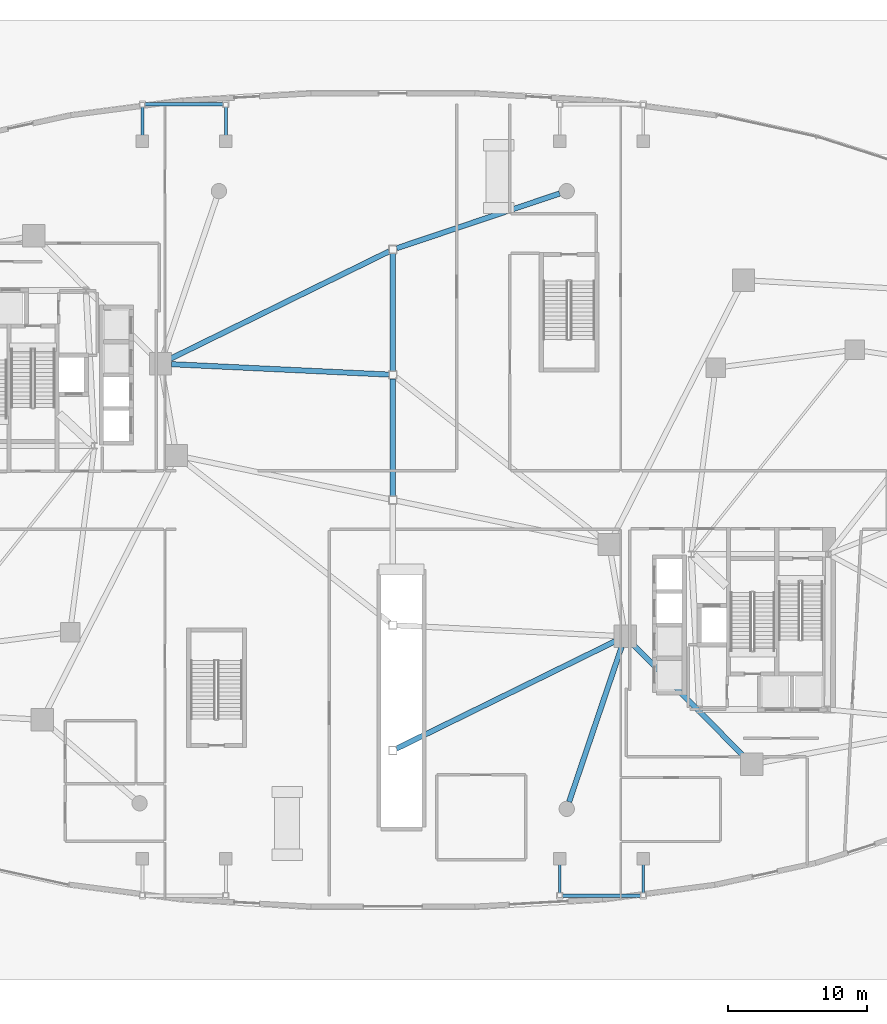
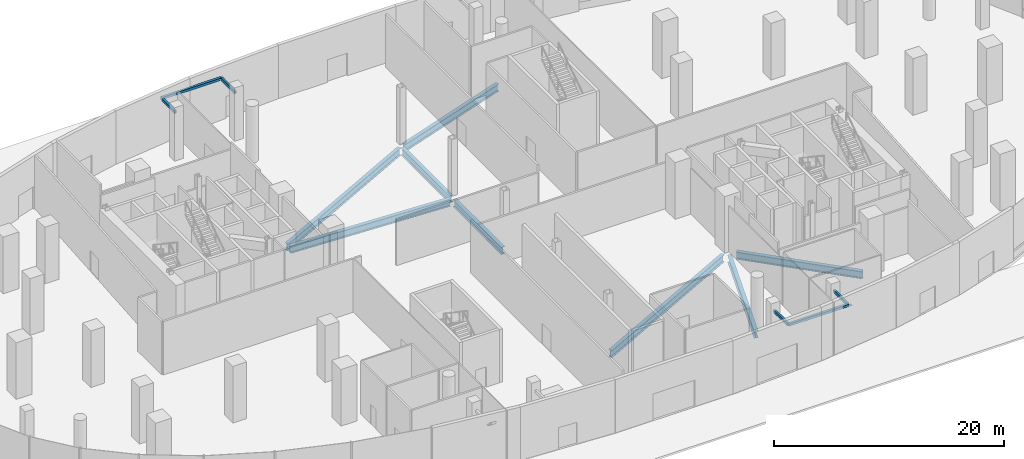
# One storey, part 6 of 20: 12 beams, 2 members.
"""IFC4 building model written with IfcOpenShell, lengths in metres."""

from ifc_helpers import new_model, si_unit, direction, frame, origin, origin_2d, place, context, subcontext, project, spatial, hollow_rectangle, i_section, extrude, material, material_profile, profile_set, type_object, element, save


model = new_model("IFC4")

# Units and contexts
model_context = context("Model", 3, precision=1e-05, world=origin(), true_north=direction((0.0, 1.0)))
body_context = subcontext(model_context, "Body", "Model", "MODEL_VIEW")
ifc_project = project(units=[si_unit("LENGTHUNIT", "METRE"), si_unit("AREAUNIT", "SQUARE_METRE"), si_unit("VOLUMEUNIT", "CUBIC_METRE"), si_unit("PLANEANGLEUNIT", "RADIAN"), si_unit("MASSUNIT", "GRAM", prefix="KILO"), si_unit("THERMODYNAMICTEMPERATUREUNIT", "KELVIN"), si_unit("POWERUNIT", "WATT")], contexts=[model_context])

# Site, building, storey
site_placement = place(None, origin())
site = spatial("IfcSite", under=ifc_project, at=site_placement, CompositionType="ELEMENT")
building_placement = place(site_placement, origin())
building = spatial("IfcBuilding", under=site, at=building_placement, Name="Cundina Bronze Exchange", CompositionType="ELEMENT")
storey_placement = place(building_placement, origin())
storey = spatial("IfcBuildingStorey", under=building, at=storey_placement, Name="L00", CompositionType="ELEMENT", Elevation=0.0)

# Beams
ifc_material_1 = material(Name="Steel ASTM A500 Grade C", Category="steel")
ifc_material_profile_1 = material_profile(ifc_material_1, hollow_rectangle(XDim=0.199951171875, YDim=0.300048828125, WallThickness=0.011962890625, at=origin_2d()), Name="HSS300X200X12", Category="steel")
ifc_profile_set_1 = profile_set([ifc_material_profile_1], Name="Steel ASTM A500 Grade C")
beam_type_1 = type_object("IfcBeamType", Name="BM-CAN-HSS3020", PredefinedType="BEAM", material=ifc_profile_set_1)
for number, where, z_axis, x_axis, name in (
    (1, (12.0, -26.0, 4.64990234375), (0.0, -1.0, 0.0), (1.0, 0.0, 0.0), "L00 South Station Entrance Canopy Outrigger 03"),
    (2, (18.0, -26.0, 4.64990234375), (0.0, -1.0, 0.0), (1.0, 0.0, 0.0), "L00 South Station Entrance Canopy Outrigger 04"),
    (3, (-18.0, 26.0, 4.64990234375), (0.0, 1.0, 0.0), (-1.0, 0.0, 0.0), "L00 North Station Entrance Canopy Outrigger 05"),
    (4, (-12.0, 26.0, 4.64990234375), (0.0, 1.0, 0.0), (-1.0, 0.0, 0.0), "L00 North Station Entrance Canopy Outrigger 06"),
):
    element("IfcBeam", number, at=place(storey_placement, frame(where, z_axis=z_axis, x_axis=x_axis)), inside=storey, type_object=beam_type_1, Name=name, PredefinedType="BEAM", context=body_context, shape_type="SweptSolid", body=[
        extrude(hollow_rectangle(XDim=0.199951171875, YDim=0.300048828125, WallThickness=0.011962890625, at=origin_2d()), origin(), (0.0, 0.0, 1.0), 2.39990234375),
    ])
ifc_material_2 = material(Name="Steel ASTM A992 Grade 50", Category="steel")
ifc_material_profile_2 = material_profile(ifc_material_2, i_section(OverallWidth=0.381103515625, OverallDepth=0.77294921875, WebThickness=0.0166015625, FlangeThickness=0.027099609375, FilletRadius=0.01904296875, at=origin_2d()), Name="W30X173", Category="steel")
ifc_profile_set_2 = profile_set([ifc_material_profile_2], Name="Steel ASTM A992 Grade 50")
beam_type_2 = type_object("IfcBeamType", Name="BM-RING-W30", PredefinedType="USERDEFINED", material=ifc_profile_set_2)
for number, where, z_axis, x_axis, name in (
    (5, (0.0, 0.2880859375, -0.736572265625), (0.0, 1.0, 0.0), (-1.0, 0.0, 0.0), "L00 Concourse Spine Longitudinal Girder 03"),
    (6, (0.0, 9.2880859375, -0.736572265625), (0.0, 1.0, 0.0), (-1.0, 0.0, 0.0), "L00 Concourse Spine Longitudinal Girder 04"),
):
    element("IfcBeam", number, at=place(storey_placement, frame(where, z_axis=z_axis, x_axis=x_axis)), inside=storey, type_object=beam_type_2, Name=name, ObjectType="GIRDER", PredefinedType="USERDEFINED", context=body_context, shape_type="SweptSolid", body=[
        extrude(i_section(OverallWidth=0.381103515625, OverallDepth=0.77294921875, WebThickness=0.0166015625, FlangeThickness=0.027099609375, FilletRadius=0.01904296875, at=origin_2d()), origin(), (0.0, 0.0, 1.0), 8.423828125),
    ])
beam_1_placement = place(storey_placement, frame((11.989990234375, 22.028564453125, -0.736572265625), z_axis=(-0.947926096535, -0.318490369567, 0.0), x_axis=(0.318490369567, -0.947926096535, 0.0)))
element("IfcBeam", 7, at=beam_1_placement, inside=storey, type_object=beam_type_2, Name="L00 Podium Colonnade Tie Beam 04", ObjectType="GIRDER", PredefinedType="USERDEFINED", context=body_context, shape_type="SweptSolid", body=[
    extrude(i_section(OverallWidth=0.381103515625, OverallDepth=0.77294921875, WebThickness=0.0166015625, FlangeThickness=0.027099609375, FilletRadius=0.01904296875, at=origin_2d()), origin(), (0.0, 0.0, 1.0), 12.360595703125),
])
beam_2_placement = place(storey_placement, frame((12.672607421875, -21.6904296875, -0.736572265625), z_axis=(0.320811837352, 0.947142948564, 0.0), x_axis=(-0.947142948564, 0.320811837352, 0.0)))
element("IfcBeam", 8, at=beam_2_placement, inside=storey, type_object=beam_type_2, Name="L00 Podium Colonnade Tie Beam 05", ObjectType="GIRDER", PredefinedType="USERDEFINED", context=body_context, shape_type="SweptSolid", body=[
    extrude(i_section(OverallWidth=0.381103515625, OverallDepth=0.77294921875, WebThickness=0.0166015625, FlangeThickness=0.027099609375, FilletRadius=0.01904296875, at=origin_2d()), origin(), (0.0, 0.0, 1.0), 11.765869140625),
])
beam_3_placement = place(storey_placement, frame((0.258544921875, -17.873046875, -0.736572265625), z_axis=(0.897626935378, 0.44075603783, 0.0), x_axis=(-0.44075603783, 0.897626935378, 0.0)))
element("IfcBeam", 9, at=beam_3_placement, inside=storey, type_object=beam_type_2, Name="L00 Concourse East Span Girder 01", ObjectType="GIRDER", PredefinedType="USERDEFINED", context=body_context, shape_type="SweptSolid", body=[
    extrude(i_section(OverallWidth=0.381103515625, OverallDepth=0.77294921875, WebThickness=0.0166015625, FlangeThickness=0.027099609375, FilletRadius=0.01904296875, at=origin_2d()), origin(), (0.0, 0.0, 1.0), 17.528564453125),
])
beam_4_placement = place(storey_placement, frame((-15.912841796875, 9.76220703125, -0.736572265625), z_axis=(0.998855248542, -0.047835054714, 0.0), x_axis=(0.047835054714, 0.998855248542, 0.0)))
element("IfcBeam", 10, at=beam_4_placement, inside=storey, type_object=beam_type_2, Name="L00 Concourse West Span Girder 04", ObjectType="GIRDER", PredefinedType="USERDEFINED", context=body_context, shape_type="SweptSolid", body=[
    extrude(i_section(OverallWidth=0.381103515625, OverallDepth=0.77294921875, WebThickness=0.0166015625, FlangeThickness=0.027099609375, FilletRadius=0.01904296875, at=origin_2d()), origin(), (0.0, 0.0, 1.0), 15.64306640625),
])
beam_5_placement = place(storey_placement, frame((-15.99267578125, 10.147216796875, -0.736572265625), z_axis=(0.897626935378, 0.44075603783, 0.0), x_axis=(-0.44075603783, 0.897626935378, 0.0)))
element("IfcBeam", 11, at=beam_5_placement, inside=storey, type_object=beam_type_2, Name="L00 Concourse West Span Girder 05", ObjectType="GIRDER", PredefinedType="USERDEFINED", context=body_context, shape_type="SweptSolid", body=[
    extrude(i_section(OverallWidth=0.381103515625, OverallDepth=0.77294921875, WebThickness=0.0166015625, FlangeThickness=0.027099609375, FilletRadius=0.01904296875, at=origin_2d()), origin(), (0.0, 0.0, 1.0), 17.528564453125),
])
beam_6_placement = place(storey_placement, frame((17.254150390625, -10.360107421875, -0.736572265625), z_axis=(0.703229241487, -0.710963173391, 0.0), x_axis=(0.710963173391, 0.703229241487, 0.0)))
element("IfcBeam", 12, at=beam_6_placement, inside=storey, type_object=beam_type_2, Name="L00 E Podium Ring Girder 02", ObjectType="GIRDER", PredefinedType="USERDEFINED", context=body_context, shape_type="SweptSolid", body=[
    extrude(i_section(OverallWidth=0.381103515625, OverallDepth=0.77294921875, WebThickness=0.0166015625, FlangeThickness=0.027099609375, FilletRadius=0.01904296875, at=origin_2d()), origin(), (0.0, 0.0, 1.0), 11.3642578125),
])

# Members
ifc_material_profile_3 = material_profile(ifc_material_1, hollow_rectangle(XDim=0.25, YDim=0.25, WallThickness=0.013916015625, at=origin_2d()), Name="HSS250X250X14", Category="steel")
ifc_profile_set_3 = profile_set([ifc_material_profile_3], Name="Steel ASTM A500 Grade C")
member_type = type_object("IfcMemberType", Name="MBR-CAN-HSS250", PredefinedType="STRINGER", material=ifc_profile_set_3)
for number, where, z_axis, x_axis, name in (
    (13, (12.0, -28.449951171875, 4.64990234375), (1.0, 0.0, 0.0), (0.0, 1.0, 0.0), "L00 Canopy Fascia Stringer 03"),
    (14, (-18.0, 28.449951171875, 4.64990234375), (1.0, 0.0, 0.0), (0.0, 1.0, 0.0), "L00 North Canopy Fascia Stringer 05"),
):
    element("IfcMember", number, at=place(storey_placement, frame(where, z_axis=z_axis, x_axis=x_axis)), inside=storey, type_object=member_type, Name=name, PredefinedType="STRINGER", context=body_context, shape_type="SweptSolid", body=[
        extrude(hollow_rectangle(XDim=0.25, YDim=0.25, WallThickness=0.013916015625, at=origin_2d()), origin(), (0.0, 0.0, 1.0), 6.0),
    ])

save(model, "model.ifc")
